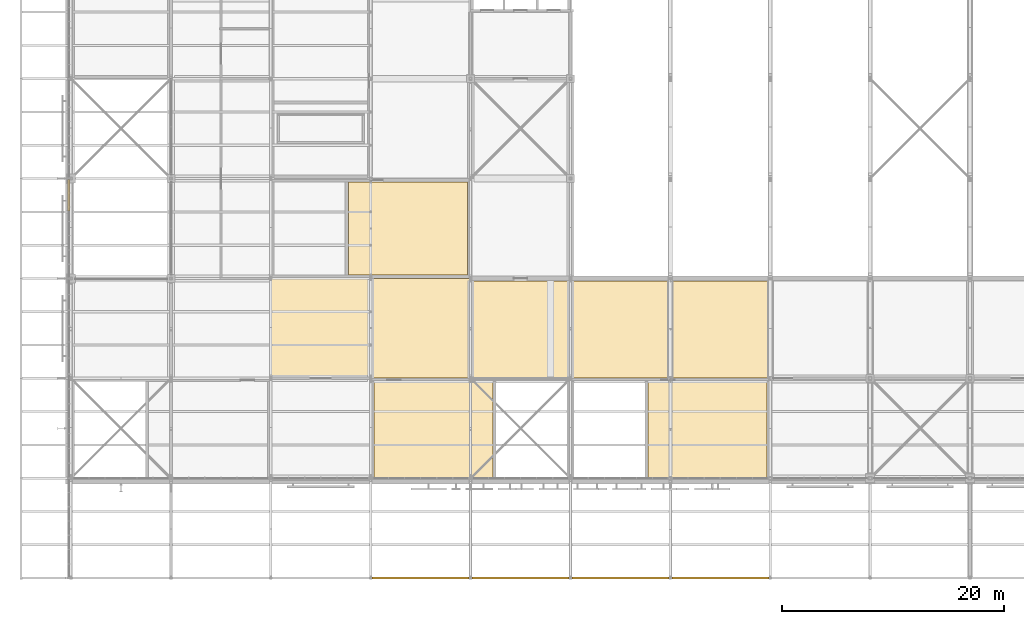
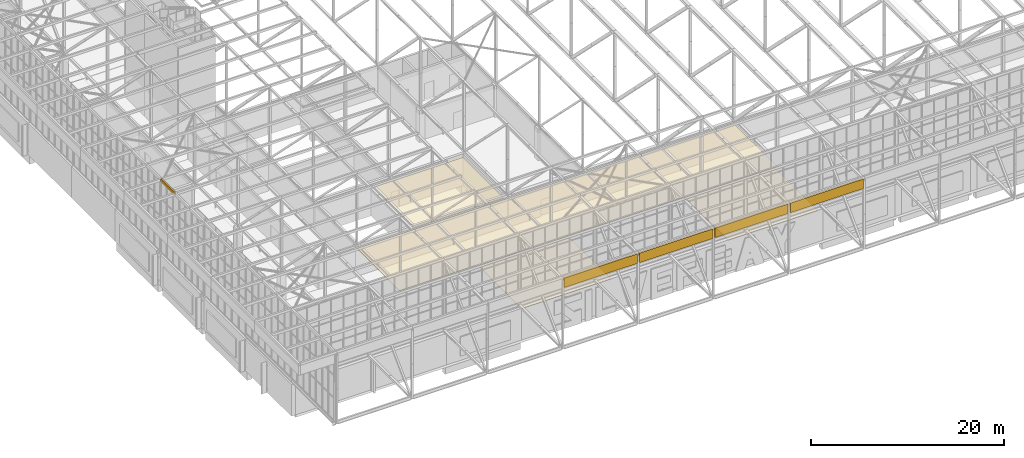
# One storey, part 629 of 646: 9 coverings.
"""IFC4 building model written with IfcOpenShell, lengths in metres."""

from ifc_helpers import new_model, si_unit, direction, frame, origin, place, context, subcontext, project, spatial, polyline, outline, extrude, material, layer, layer_set, type_object, element, save


model = new_model("IFC4")

# Units and contexts
model_context = context("Model", 3, precision=1e-05, world=origin(), true_north=direction((0.0, 1.0)))
body_context = subcontext(model_context, "Body", "Model", "MODEL_VIEW")
ifc_project = project(units=[si_unit("LENGTHUNIT", "METRE"), si_unit("AREAUNIT", "SQUARE_METRE"), si_unit("VOLUMEUNIT", "CUBIC_METRE"), si_unit("PLANEANGLEUNIT", "RADIAN"), si_unit("MASSUNIT", "GRAM", prefix="KILO")], contexts=[model_context])

# Site, building, storey
site_placement = place(None, origin())
site = spatial("IfcSite", under=ifc_project, at=site_placement, CompositionType="ELEMENT")
building_placement = place(site_placement, origin())
building = spatial("IfcBuilding", under=site, at=building_placement, Name="Silverbay Arena", CompositionType="ELEMENT")
storey_placement = place(building_placement, frame((0.0, 0.0, 33.5)))
storey = spatial("IfcBuildingStorey", under=building, at=storey_placement, Name="L05", CompositionType="ELEMENT", Elevation=33.5)

# Coverings
ifc_material_1 = material(Name="Fire-resisting board ceiling")
ifc_layer_1 = layer(ifc_material_1, 0.050048828125)
ifc_layer_set_1 = layer_set([ifc_layer_1], Name="Fire-resisting board ceiling")
covering_type_1 = type_object("IfcCoveringType", Name="Fire-resisting ceiling EI 120", PredefinedType="CEILING", material=ifc_layer_set_1)
covering_1_placement = place(storey_placement, frame((0.0, 0.0, 3.5)))
element("IfcCovering", 1, at=covering_1_placement, inside=storey, type_object=covering_type_1, Name="Fire-resisting ceiling 01", PredefinedType="CEILING", context=body_context, shape_type="SweptSolid", body=[
    extrude(outline(polyline([(89.947998046875, 35.77001953125), (89.947998046875, 36.0), (72.0400390625, 36.0), (72.0400390625, 35.77001953125), (71.97998046875, 35.77001953125), (71.97998046875, 27.10009765625), (81.0, 27.10009765625), (81.0, 27.030029296875), (117.0, 27.030029296875), (117.0, 27.10009765625), (117.02001953125, 27.10009765625), (117.02001953125, 35.77001953125), (89.947998046875, 35.77001953125)])), origin(), (0.0, 0.0, 1.0), 0.050048828125),
])
covering_2_placement = place(storey_placement, frame((0.0, 0.0, 3.5)))
element("IfcCovering", 2, at=covering_2_placement, inside=storey, type_object=covering_type_1, Name="Fire-resisting ceiling 43", PredefinedType="CEILING", context=body_context, shape_type="SweptSolid", body=[
    extrude(outline(polyline([(81.0, 26.699951171875), (81.300048828125, 26.699951171875), (81.300048828125, 18.0), (92.0, 18.0), (92.0, 26.699951171875), (92.300048828125, 26.699951171875), (92.300048828125, 18.0), (98.699951171875, 18.0), (98.699951171875, 26.699951171875), (99.0, 26.699951171875), (81.0, 26.699951171875)])), origin(), (0.0, 0.0, 1.0), 0.050048828125),
])
covering_3_placement = place(storey_placement, frame((0.0, 0.0, 3.5)))
element("IfcCovering", 3, at=covering_3_placement, inside=storey, type_object=covering_type_1, Name="Fire-resisting ceiling 44", PredefinedType="CEILING", context=body_context, shape_type="SweptSolid", body=[
    extrude(outline(polyline([(99.0, 26.699951171875), (99.300048828125, 26.699951171875), (99.300048828125, 18.0), (105.699951171875, 18.0), (105.699951171875, 26.699951171875), (106.0, 26.699951171875), (106.0, 18.0), (116.699951171875, 18.0), (116.699951171875, 26.699951171875), (117.0, 26.699951171875), (99.0, 26.699951171875)])), origin(), (0.0, 0.0, 1.0), 0.050048828125),
])
covering_4_placement = place(storey_placement, frame((0.0, 0.0, 3.5)))
element("IfcCovering", 4, at=covering_4_placement, inside=storey, type_object=covering_type_1, Name="Fire-resisting ceiling 69", PredefinedType="CEILING", context=body_context, shape_type="SweptSolid", body=[
    extrude(outline(polyline([(89.699951171875, 36.300048828125), (89.699951171875, 44.699951171875), (79.0, 44.699951171875), (79.0, 36.300048828125), (89.699951171875, 36.300048828125)])), origin(), (0.0, 0.0, 1.0), 0.050048828125),
])
ifc_material_2 = material(Name="Insulated metal cladding panel")
ifc_layer_2 = layer(ifc_material_2, 0.199951171875)
ifc_layer_set_2 = layer_set([ifc_layer_2], Name="Insulated metal cladding panel")
covering_type_2 = type_object("IfcCoveringType", Name="Gable head closer 200", PredefinedType="CLADDING", material=ifc_layer_set_2)
covering_5_placement = place(storey_placement, frame((0.0, 0.0, 13.0)))
element("IfcCovering", 5, at=covering_5_placement, inside=storey, type_object=covering_type_2, Name="ROOF GABLE HEAD CLOSER west 12", PredefinedType="CLADDING", context=body_context, shape_type="SweptSolid", body=[
    extrude(outline(polyline([(53.68994140625, 42.10009765625), (53.889892578125, 42.10009765625), (53.889892578125, 44.89990234375), (53.68994140625, 44.89990234375), (53.68994140625, 42.10009765625)])), origin(), (0.0, 0.0, 1.0), 0.300048828125),
])
ifc_material_3 = material(Name="Insulated metal cladding panel")
ifc_layer_3 = layer(ifc_material_3, 0.199951171875)
ifc_layer_set_3 = layer_set([ifc_layer_3], Name="Insulated metal cladding panel")
covering_type_3 = type_object("IfcCoveringType", Name="Roof edge fascia 200", PredefinedType="CLADDING", material=ifc_layer_set_3)
covering_6_placement = place(storey_placement, frame((0.0, 0.0, 11.800048828125)))
element("IfcCovering", 6, at=covering_6_placement, inside=storey, type_object=covering_type_3, Name="ROOF EDGE FASCIA south bay 04", PredefinedType="CLADDING", context=body_context, shape_type="SweptSolid", body=[
    extrude(outline(polyline([(81.127197265625, 8.89990234375), (89.872802734375, 8.89990234375), (89.872802734375, 9.10009765625), (81.127197265625, 9.10009765625), (81.127197265625, 8.89990234375)])), origin(), (0.0, 0.0, 1.0), 1.199951171875),
])
covering_7_placement = place(storey_placement, frame((0.0, 0.0, 11.800048828125)))
element("IfcCovering", 7, at=covering_7_placement, inside=storey, type_object=covering_type_3, Name="ROOF EDGE FASCIA south bay 05", PredefinedType="CLADDING", context=body_context, shape_type="SweptSolid", body=[
    extrude(outline(polyline([(90.127197265625, 8.89990234375), (98.872802734375, 8.89990234375), (98.872802734375, 9.10009765625), (90.127197265625, 9.10009765625), (90.127197265625, 8.89990234375)])), origin(), (0.0, 0.0, 1.0), 1.199951171875),
])
covering_8_placement = place(storey_placement, frame((0.0, 0.0, 11.800048828125)))
element("IfcCovering", 8, at=covering_8_placement, inside=storey, type_object=covering_type_3, Name="ROOF EDGE FASCIA south bay 06", PredefinedType="CLADDING", context=body_context, shape_type="SweptSolid", body=[
    extrude(outline(polyline([(99.127197265625, 8.89990234375), (107.87060546875, 8.89990234375), (107.87060546875, 9.10009765625), (99.127197265625, 9.10009765625), (99.127197265625, 8.89990234375)])), origin(), (0.0, 0.0, 1.0), 1.199951171875),
])
covering_9_placement = place(storey_placement, frame((0.0, 0.0, 11.800048828125)))
element("IfcCovering", 9, at=covering_9_placement, inside=storey, type_object=covering_type_3, Name="ROOF EDGE FASCIA south bay 07", PredefinedType="CLADDING", context=body_context, shape_type="SweptSolid", body=[
    extrude(outline(polyline([(108.12939453125, 8.89990234375), (116.87060546875, 8.89990234375), (116.87060546875, 9.10009765625), (108.12939453125, 9.10009765625), (108.12939453125, 8.89990234375)])), origin(), (0.0, 0.0, 1.0), 1.199951171875),
])

save(model, "model.ifc")
